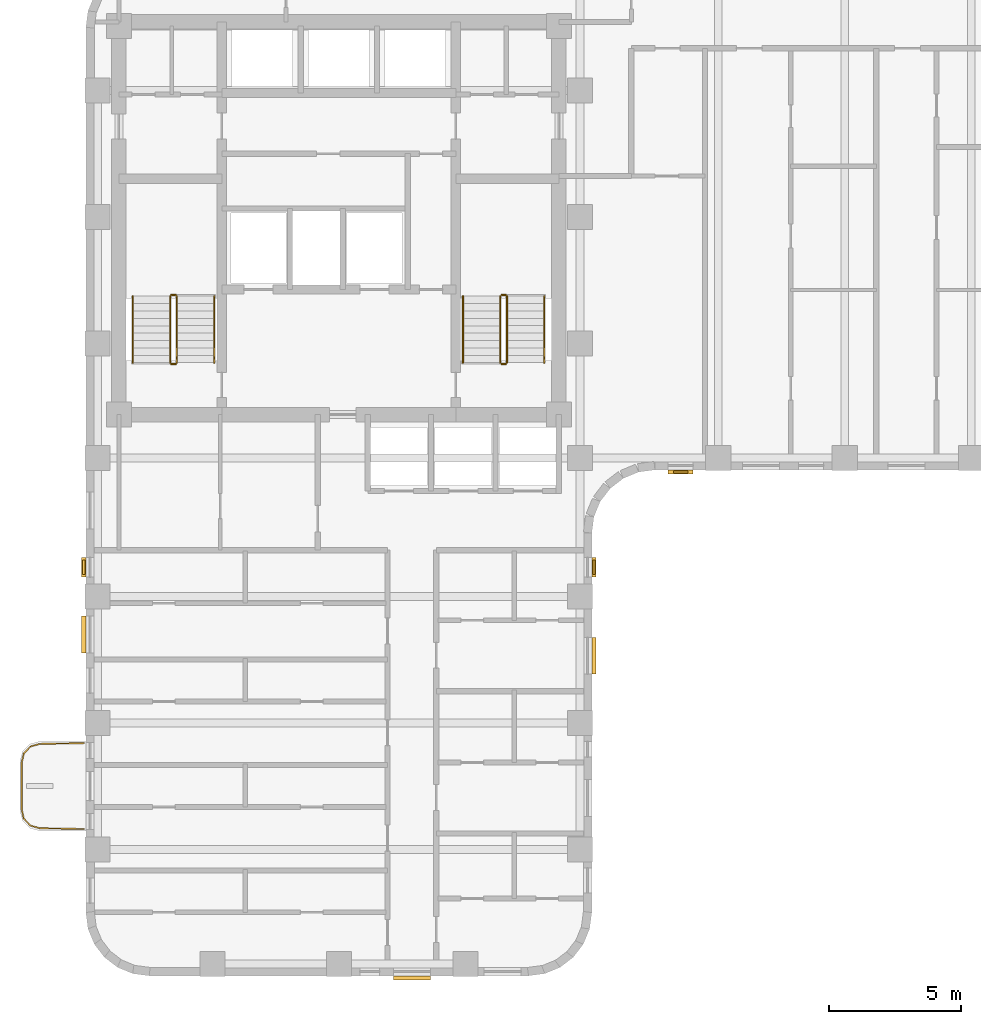
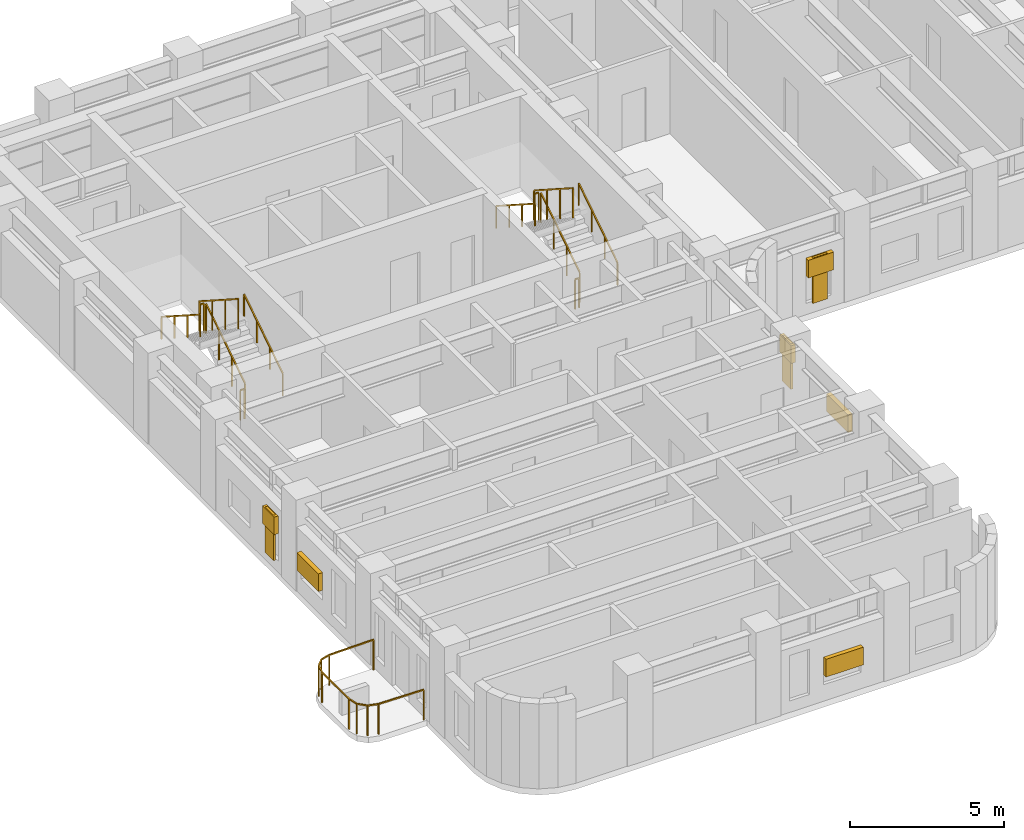
# One storey, part 8 of 10: 13 railings, 9 shading devices.
"""IFC4 building model written with IfcOpenShell, lengths in metres."""

from ifc_helpers import new_model, si_unit, direction, frame, origin, origin_2d, place, context, subcontext, project, spatial, rectangle, extrude, material, type_object, element, save


model = new_model("IFC4")

# Units and contexts
model_context = context("Model", 3, precision=1e-05, world=origin(), true_north=direction((0.0, 1.0)))
body_context = subcontext(model_context, "Body", "Model", "MODEL_VIEW")
ifc_project = project(units=[si_unit("LENGTHUNIT", "METRE"), si_unit("AREAUNIT", "SQUARE_METRE"), si_unit("VOLUMEUNIT", "CUBIC_METRE"), si_unit("PLANEANGLEUNIT", "RADIAN"), si_unit("MASSUNIT", "GRAM", prefix="KILO")], contexts=[model_context])

# Site, building, storey
site_placement = place(None, origin())
site = spatial("IfcSite", under=ifc_project, at=site_placement, CompositionType="ELEMENT")
building_placement = place(site_placement, origin())
building = spatial("IfcBuilding", under=site, at=building_placement, Name="Orvandelia Arch Residences", CompositionType="ELEMENT")
storey_placement = place(building_placement, frame((0.0, 0.0, 110.800048828125)))
storey = spatial("IfcBuildingStorey", under=building, at=storey_placement, Name="L28", CompositionType="ELEMENT", Elevation=110.800048828125)

# Railings
ifc_material_1 = material(Name="Marine-Grade Stainless Steel 316", Category="steel")
railing_type_1 = type_object("IfcRailingType", Name="GRD-BAL-1200", PredefinedType="BALUSTRADE", material=ifc_material_1)
railing_1_placement = place(storey_placement, frame((4.728271484375, 18.430419921875, 0.0)))
element("IfcRailing", 1, at=railing_1_placement, inside=storey, type_object=railing_type_1, Name="Safety Balustrade Guard GRD-L28-BAL-L28-W1-1", PredefinedType="BALUSTRADE", context=body_context, shape_type="SweptSolid", body=[
    extrude(rectangle(XDim=0.048095703125, YDim=0.048095703125, at=origin_2d()), frame((0.0, 0.0, 1.19580078125), z_axis=(-0.999834751713, -0.018178813668, 0.0), x_axis=(0.018178813668, -0.999834751713, 0.0)), (0.0, 0.0, 1.0), 1.6787109375),
    extrude(rectangle(XDim=0.048095703125, YDim=0.048095703125, at=origin_2d()), frame((-1.678466796875, -0.030517578125, 1.19580078125), z_axis=(-0.96348920644, -0.267747173792, 0.0), x_axis=(0.267747173792, -0.96348920644, 0.0)), (0.0, 0.0, 1.0), 0.36572265625),
    extrude(rectangle(XDim=0.048095703125, YDim=0.048095703125, at=origin_2d()), frame((-2.03076171875, -0.12841796875, 1.19580078125), z_axis=(-0.688627404251, -0.725115368831, 0.0), x_axis=(0.725115368831, -0.688627404251, 0.0)), (0.0, 0.0, 1.0), 0.367919921875),
    extrude(rectangle(XDim=0.048095703125, YDim=0.048095703125, at=origin_2d()), frame((-2.2841796875, -0.395263671875, 1.19580078125), z_axis=(-0.220602419982, -0.975363815352, 0.0), x_axis=(0.975363815352, -0.220602419982, 0.0)), (0.0, 0.0, 1.0), 0.373046875),
    extrude(rectangle(XDim=0.048095703125, YDim=0.048095703125, at=origin_2d()), frame((-2.366455078125, -0.759033203125, 1.19580078125), z_axis=(0.0, -1.0, 0.0), x_axis=(1.0, 0.0, 0.0)), (0.0, 0.0, 1.0), 1.74267578125),
    extrude(rectangle(XDim=0.048095703125, YDim=0.048095703125, at=origin_2d()), frame((-2.366455078125, -2.501708984375, 1.19580078125), z_axis=(0.220602419982, -0.975363815352, 0.0), x_axis=(0.975363815352, 0.220602419982, 0.0)), (0.0, 0.0, 1.0), 0.373046875),
    extrude(rectangle(XDim=0.048095703125, YDim=0.048095703125, at=origin_2d()), frame((-2.2841796875, -2.865478515625, 1.19580078125), z_axis=(0.688296224633, -0.725429739642, 0.0), x_axis=(0.725429739642, 0.688296224633, 0.0)), (0.0, 0.0, 1.0), 0.3681640625),
    extrude(rectangle(XDim=0.048095703125, YDim=0.048095703125, at=origin_2d()), frame((-2.03076171875, -3.132568359375, 1.19580078125), z_axis=(0.96348920644, -0.267747173792, 0.0), x_axis=(0.267747173792, 0.96348920644, 0.0)), (0.0, 0.0, 1.0), 0.36572265625),
    extrude(rectangle(XDim=0.048095703125, YDim=0.048095703125, at=origin_2d()), frame((-1.678466796875, -3.23046875, 1.19580078125), z_axis=(0.999837384468, -0.018033430643, 0.0), x_axis=(0.018033430643, 0.999837384468, 0.0)), (0.0, 0.0, 1.0), 1.6787109375),
    extrude(rectangle(XDim=0.0419921875, YDim=0.0419921875, at=origin_2d()), origin(), (0.0, 0.0, 1.0), 1.171875),
    extrude(rectangle(XDim=0.0419921875, YDim=0.0419921875, at=origin_2d()), frame((-1.678466796875, -0.030517578125, 0.0)), (0.0, 0.0, 1.0), 1.171875),
    extrude(rectangle(XDim=0.0419921875, YDim=0.0419921875, at=origin_2d()), frame((-2.03076171875, -0.12841796875, 0.0)), (0.0, 0.0, 1.0), 1.171875),
    extrude(rectangle(XDim=0.0419921875, YDim=0.0419921875, at=origin_2d()), frame((-2.2841796875, -0.395263671875, 0.0)), (0.0, 0.0, 1.0), 1.171875),
    extrude(rectangle(XDim=0.0419921875, YDim=0.0419921875, at=origin_2d()), frame((-2.366455078125, -0.759033203125, 0.0)), (0.0, 0.0, 1.0), 1.171875),
    extrude(rectangle(XDim=0.0419921875, YDim=0.0419921875, at=origin_2d()), frame((-2.366455078125, -2.501708984375, 0.0)), (0.0, 0.0, 1.0), 1.171875),
    extrude(rectangle(XDim=0.0419921875, YDim=0.0419921875, at=origin_2d()), frame((-2.2841796875, -2.865478515625, 0.0)), (0.0, 0.0, 1.0), 1.171875),
    extrude(rectangle(XDim=0.0419921875, YDim=0.0419921875, at=origin_2d()), frame((-2.03076171875, -3.132568359375, 0.0)), (0.0, 0.0, 1.0), 1.171875),
    extrude(rectangle(XDim=0.0419921875, YDim=0.0419921875, at=origin_2d()), frame((-1.678466796875, -3.23046875, 0.0)), (0.0, 0.0, 1.0), 1.171875),
    extrude(rectangle(XDim=0.0419921875, YDim=0.0419921875, at=origin_2d()), frame((0.0, -3.2607421875, 0.0)), (0.0, 0.0, 1.0), 1.171875),
])
ifc_material_2 = material(Name="Brushed Stainless Steel 304", Category="steel")
railing_type_2 = type_object("IfcRailingType", Name="RL-STAIR-GD1120", PredefinedType="GUARDRAIL", material=ifc_material_2)
railing_2_placement = place(storey_placement, frame((8.25, 32.8701171875, 0.179931640625)))
element("IfcRailing", 2, at=railing_2_placement, inside=storey, type_object=railing_type_2, Name="L28 ST-1 stair guard 1", PredefinedType="GUARDRAIL", context=body_context, shape_type="SweptSolid", body=[
    extrude(rectangle(XDim=0.048095703125, YDim=0.048095703125, at=origin_2d()), frame((0.0, 0.0, 1.17578125), z_axis=(0.0, 0.841138753965, 0.540819375188), x_axis=(-1.0, 0.0, 0.0)), (0.0, 0.0, 1.0), 2.99560546875),
    extrude(rectangle(XDim=0.0419921875, YDim=0.0419921875, at=origin_2d()), origin(), (0.0, 0.0, 1.0), 1.15185546875),
    extrude(rectangle(XDim=0.0419921875, YDim=0.0419921875, at=origin_2d()), frame((0.0, 0.83984375, 0.5400390625)), (0.0, 0.0, 1.0), 1.15185546875),
    extrude(rectangle(XDim=0.0419921875, YDim=0.0419921875, at=origin_2d()), frame((0.0, 1.679931640625, 1.080078125)), (0.0, 0.0, 1.0), 1.15185546875),
    extrude(rectangle(XDim=0.0419921875, YDim=0.0419921875, at=origin_2d()), frame((0.0, 2.519775390625, 1.6201171875)), (0.0, 0.0, 1.0), 1.15185546875),
])
railing_3_placement = place(storey_placement, frame((8.199951171875, 35.43994140625, 1.800048828125)))
element("IfcRailing", 3, at=railing_3_placement, inside=storey, type_object=railing_type_2, Name="L28 ST-1 stair guard 2", PredefinedType="GUARDRAIL", context=body_context, shape_type="SweptSolid", body=[
    extrude(rectangle(XDim=0.048095703125, YDim=0.048095703125, at=origin_2d()), frame((0.0, 0.0, 1.17578125), z_axis=(-1.0, 0.0, 0.0), x_axis=(0.0, -1.0, 0.0)), (0.0, 0.0, 1.0), 0.14990234375),
    extrude(rectangle(XDim=0.0419921875, YDim=0.0419921875, at=origin_2d()), origin(), (0.0, 0.0, 1.0), 1.15185546875),
    extrude(rectangle(XDim=0.0419921875, YDim=0.0419921875, at=origin_2d()), frame((-0.14990234375, 0.0, 0.0)), (0.0, 0.0, 1.0), 1.15185546875),
])
railing_4_placement = place(storey_placement, frame((8.0, 35.389892578125, 1.97998046875)))
element("IfcRailing", 4, at=railing_4_placement, inside=storey, type_object=railing_type_2, Name="L28 ST-1 stair guard 3", PredefinedType="GUARDRAIL", context=body_context, shape_type="SweptSolid", body=[
    extrude(rectangle(XDim=0.048095703125, YDim=0.048095703125, at=origin_2d()), frame((0.0, 0.0, 1.17578125), z_axis=(0.0, -0.841175827307, 0.540761710511), x_axis=(1.0, 0.0, 0.0)), (0.0, 0.0, 1.0), 2.99560546875),
    extrude(rectangle(XDim=0.0419921875, YDim=0.0419921875, at=origin_2d()), origin(), (0.0, 0.0, 1.0), 1.15185546875),
    extrude(rectangle(XDim=0.0419921875, YDim=0.0419921875, at=origin_2d()), frame((0.0, -0.83984375, 0.5400390625)), (0.0, 0.0, 1.0), 1.15185546875),
    extrude(rectangle(XDim=0.0419921875, YDim=0.0419921875, at=origin_2d()), frame((0.0, -1.679931640625, 1.079833984375)), (0.0, 0.0, 1.0), 1.15185546875),
    extrude(rectangle(XDim=0.0419921875, YDim=0.0419921875, at=origin_2d()), frame((0.0, -2.519775390625, 1.619873046875)), (0.0, 0.0, 1.0), 1.15185546875),
])
railing_5_placement = place(storey_placement, frame((8.199951171875, 32.820068359375, 0.0)))
element("IfcRailing", 5, at=railing_5_placement, inside=storey, type_object=railing_type_2, Name="L28 ST-1 stair guard 4", PredefinedType="GUARDRAIL", context=body_context, shape_type="SweptSolid", body=[
    extrude(rectangle(XDim=0.048095703125, YDim=0.048095703125, at=origin_2d()), frame((0.0, 0.0, 1.17578125), z_axis=(-1.0, 0.0, 0.0), x_axis=(0.0, -1.0, 0.0)), (0.0, 0.0, 1.0), 0.14990234375),
    extrude(rectangle(XDim=0.0419921875, YDim=0.0419921875, at=origin_2d()), origin(), (0.0, 0.0, 1.0), 1.15185546875),
    extrude(rectangle(XDim=0.0419921875, YDim=0.0419921875, at=origin_2d()), frame((-0.14990234375, 0.0, 0.0)), (0.0, 0.0, 1.0), 1.15185546875),
])
railing_6_placement = place(storey_placement, frame((20.780029296875, 32.8701171875, 0.179931640625)))
element("IfcRailing", 6, at=railing_6_placement, inside=storey, type_object=railing_type_2, Name="L28 ST-2 stair guard 1", PredefinedType="GUARDRAIL", context=body_context, shape_type="SweptSolid", body=[
    extrude(rectangle(XDim=0.048095703125, YDim=0.048095703125, at=origin_2d()), frame((0.0, 0.0, 1.17578125), z_axis=(0.0, 0.841138753965, 0.540819375188), x_axis=(-1.0, 0.0, 0.0)), (0.0, 0.0, 1.0), 2.99560546875),
    extrude(rectangle(XDim=0.0419921875, YDim=0.0419921875, at=origin_2d()), origin(), (0.0, 0.0, 1.0), 1.15185546875),
    extrude(rectangle(XDim=0.0419921875, YDim=0.0419921875, at=origin_2d()), frame((0.0, 0.83984375, 0.5400390625)), (0.0, 0.0, 1.0), 1.15185546875),
    extrude(rectangle(XDim=0.0419921875, YDim=0.0419921875, at=origin_2d()), frame((0.0, 1.679931640625, 1.080078125)), (0.0, 0.0, 1.0), 1.15185546875),
    extrude(rectangle(XDim=0.0419921875, YDim=0.0419921875, at=origin_2d()), frame((0.0, 2.519775390625, 1.6201171875)), (0.0, 0.0, 1.0), 1.15185546875),
])
railing_7_placement = place(storey_placement, frame((20.72998046875, 35.43994140625, 1.800048828125)))
element("IfcRailing", 7, at=railing_7_placement, inside=storey, type_object=railing_type_2, Name="L28 ST-2 stair guard 2", PredefinedType="GUARDRAIL", context=body_context, shape_type="SweptSolid", body=[
    extrude(rectangle(XDim=0.048095703125, YDim=0.048095703125, at=origin_2d()), frame((0.0, 0.0, 1.17578125), z_axis=(-1.0, 0.0, 0.0), x_axis=(0.0, -1.0, 0.0)), (0.0, 0.0, 1.0), 0.14990234375),
    extrude(rectangle(XDim=0.0419921875, YDim=0.0419921875, at=origin_2d()), origin(), (0.0, 0.0, 1.0), 1.15185546875),
    extrude(rectangle(XDim=0.0419921875, YDim=0.0419921875, at=origin_2d()), frame((-0.14990234375, 0.0, 0.0)), (0.0, 0.0, 1.0), 1.15185546875),
])
railing_8_placement = place(storey_placement, frame((20.530029296875, 35.389892578125, 1.97998046875)))
element("IfcRailing", 8, at=railing_8_placement, inside=storey, type_object=railing_type_2, Name="L28 ST-2 stair guard 3", PredefinedType="GUARDRAIL", context=body_context, shape_type="SweptSolid", body=[
    extrude(rectangle(XDim=0.048095703125, YDim=0.048095703125, at=origin_2d()), frame((0.0, 0.0, 1.17578125), z_axis=(0.0, -0.841175827307, 0.540761710511), x_axis=(1.0, 0.0, 0.0)), (0.0, 0.0, 1.0), 2.99560546875),
    extrude(rectangle(XDim=0.0419921875, YDim=0.0419921875, at=origin_2d()), origin(), (0.0, 0.0, 1.0), 1.15185546875),
    extrude(rectangle(XDim=0.0419921875, YDim=0.0419921875, at=origin_2d()), frame((0.0, -0.83984375, 0.5400390625)), (0.0, 0.0, 1.0), 1.15185546875),
    extrude(rectangle(XDim=0.0419921875, YDim=0.0419921875, at=origin_2d()), frame((0.0, -1.679931640625, 1.079833984375)), (0.0, 0.0, 1.0), 1.15185546875),
    extrude(rectangle(XDim=0.0419921875, YDim=0.0419921875, at=origin_2d()), frame((0.0, -2.519775390625, 1.619873046875)), (0.0, 0.0, 1.0), 1.15185546875),
])
railing_9_placement = place(storey_placement, frame((20.72998046875, 32.820068359375, 0.0)))
element("IfcRailing", 9, at=railing_9_placement, inside=storey, type_object=railing_type_2, Name="L28 ST-2 stair guard 4", PredefinedType="GUARDRAIL", context=body_context, shape_type="SweptSolid", body=[
    extrude(rectangle(XDim=0.048095703125, YDim=0.048095703125, at=origin_2d()), frame((0.0, 0.0, 1.17578125), z_axis=(-1.0, 0.0, 0.0), x_axis=(0.0, -1.0, 0.0)), (0.0, 0.0, 1.0), 0.14990234375),
    extrude(rectangle(XDim=0.0419921875, YDim=0.0419921875, at=origin_2d()), origin(), (0.0, 0.0, 1.0), 1.15185546875),
    extrude(rectangle(XDim=0.0419921875, YDim=0.0419921875, at=origin_2d()), frame((-0.14990234375, 0.0, 0.0)), (0.0, 0.0, 1.0), 1.15185546875),
])
railing_type_3 = type_object("IfcRailingType", Name="RL-STAIR-HR920", PredefinedType="HANDRAIL", material=ifc_material_2)
railing_10_placement = place(storey_placement, frame((9.669921875, 32.8701171875, 0.35986328125)))
element("IfcRailing", 10, at=railing_10_placement, inside=storey, type_object=railing_type_3, Name="L28 ST-1 stair handrail 1", PredefinedType="HANDRAIL", context=body_context, shape_type="SweptSolid", body=[
    extrude(rectangle(XDim=0.048095703125, YDim=0.048095703125, at=origin_2d()), frame((0.0, 0.0, 0.8759765625), z_axis=(0.0, 0.841138753965, 0.540819375188), x_axis=(-1.0, 0.0, 0.0)), (0.0, 0.0, 1.0), 2.99560546875),
    extrude(rectangle(XDim=0.0419921875, YDim=0.0419921875, at=origin_2d()), origin(), (0.0, 0.0, 1.0), 0.851806640625),
    extrude(rectangle(XDim=0.0419921875, YDim=0.0419921875, at=origin_2d()), frame((0.0, 0.83984375, 0.5400390625)), (0.0, 0.0, 1.0), 0.851806640625),
    extrude(rectangle(XDim=0.0419921875, YDim=0.0419921875, at=origin_2d()), frame((0.0, 1.679931640625, 1.080078125)), (0.0, 0.0, 1.0), 0.851806640625),
    extrude(rectangle(XDim=0.0419921875, YDim=0.0419921875, at=origin_2d()), frame((0.0, 2.519775390625, 1.6201171875)), (0.0, 0.0, 1.0), 0.851806640625),
])
railing_11_placement = place(storey_placement, frame((6.580078125, 35.389892578125, 2.159912109375)))
element("IfcRailing", 11, at=railing_11_placement, inside=storey, type_object=railing_type_3, Name="L28 ST-1 stair handrail 2", PredefinedType="HANDRAIL", context=body_context, shape_type="SweptSolid", body=[
    extrude(rectangle(XDim=0.048095703125, YDim=0.048095703125, at=origin_2d()), frame((0.0, 0.0, 0.8759765625), z_axis=(0.0, -0.841138753965, 0.540819375188), x_axis=(1.0, 0.0, 0.0)), (0.0, 0.0, 1.0), 2.99560546875),
    extrude(rectangle(XDim=0.0419921875, YDim=0.0419921875, at=origin_2d()), origin(), (0.0, 0.0, 1.0), 0.851806640625),
    extrude(rectangle(XDim=0.0419921875, YDim=0.0419921875, at=origin_2d()), frame((0.0, -0.83984375, 0.5400390625)), (0.0, 0.0, 1.0), 0.851806640625),
    extrude(rectangle(XDim=0.0419921875, YDim=0.0419921875, at=origin_2d()), frame((0.0, -1.679931640625, 1.080078125)), (0.0, 0.0, 1.0), 0.851806640625),
    extrude(rectangle(XDim=0.0419921875, YDim=0.0419921875, at=origin_2d()), frame((0.0, -2.519775390625, 1.6201171875)), (0.0, 0.0, 1.0), 0.851806640625),
])
railing_12_placement = place(storey_placement, frame((22.199951171875, 32.8701171875, 0.35986328125)))
element("IfcRailing", 12, at=railing_12_placement, inside=storey, type_object=railing_type_3, Name="L28 ST-2 stair handrail 1", PredefinedType="HANDRAIL", context=body_context, shape_type="SweptSolid", body=[
    extrude(rectangle(XDim=0.048095703125, YDim=0.048095703125, at=origin_2d()), frame((0.0, 0.0, 0.8759765625), z_axis=(0.0, 0.841138753965, 0.540819375188), x_axis=(-1.0, 0.0, 0.0)), (0.0, 0.0, 1.0), 2.99560546875),
    extrude(rectangle(XDim=0.0419921875, YDim=0.0419921875, at=origin_2d()), origin(), (0.0, 0.0, 1.0), 0.851806640625),
    extrude(rectangle(XDim=0.0419921875, YDim=0.0419921875, at=origin_2d()), frame((0.0, 0.83984375, 0.5400390625)), (0.0, 0.0, 1.0), 0.851806640625),
    extrude(rectangle(XDim=0.0419921875, YDim=0.0419921875, at=origin_2d()), frame((0.0, 1.679931640625, 1.080078125)), (0.0, 0.0, 1.0), 0.851806640625),
    extrude(rectangle(XDim=0.0419921875, YDim=0.0419921875, at=origin_2d()), frame((0.0, 2.519775390625, 1.6201171875)), (0.0, 0.0, 1.0), 0.851806640625),
])
railing_13_placement = place(storey_placement, frame((19.110107421875, 35.389892578125, 2.159912109375)))
element("IfcRailing", 13, at=railing_13_placement, inside=storey, type_object=railing_type_3, Name="L28 ST-2 stair handrail 2", PredefinedType="HANDRAIL", context=body_context, shape_type="SweptSolid", body=[
    extrude(rectangle(XDim=0.048095703125, YDim=0.048095703125, at=origin_2d()), frame((0.0, 0.0, 0.8759765625), z_axis=(0.0, -0.841138753965, 0.540819375188), x_axis=(1.0, 0.0, 0.0)), (0.0, 0.0, 1.0), 2.99560546875),
    extrude(rectangle(XDim=0.0419921875, YDim=0.0419921875, at=origin_2d()), origin(), (0.0, 0.0, 1.0), 0.851806640625),
    extrude(rectangle(XDim=0.0419921875, YDim=0.0419921875, at=origin_2d()), frame((0.0, -0.83984375, 0.5400390625)), (0.0, 0.0, 1.0), 0.851806640625),
    extrude(rectangle(XDim=0.0419921875, YDim=0.0419921875, at=origin_2d()), frame((0.0, -1.679931640625, 1.080078125)), (0.0, 0.0, 1.0), 0.851806640625),
    extrude(rectangle(XDim=0.0419921875, YDim=0.0419921875, at=origin_2d()), frame((0.0, -2.519775390625, 1.6201171875)), (0.0, 0.0, 1.0), 0.851806640625),
])

# Shading devices
ifc_material_3 = material(Name="Anodised Champagne-Bronze Extruded Aluminium", Category="aluminium")
shading_device_type_1 = type_object("IfcShadingDeviceType", Name="SHD-JALOUSIE-SCREEN", PredefinedType="JALOUSIE", material=ifc_material_3)
shading_device_1_placement = place(storey_placement, frame((27.3701171875, 28.719970703125, 1.5498046875), z_axis=(0.0, 0.0, 1.0), x_axis=(-1.0, 0.0, 0.0)))
element("IfcShadingDevice", 14, at=shading_device_1_placement, inside=storey, type_object=shading_device_type_1, Name="Bronze Jalousie Sun-Shade L28-003", PredefinedType="JALOUSIE", context=body_context, shape_type="SweptSolid", body=[
    extrude(rectangle(XDim=0.949951171875, YDim=0.159912109375, at=origin_2d()), origin(), (0.0, 0.0, 1.0), 0.699951171875),
])
shading_device_2_placement = place(storey_placement, frame((24.080078125, 21.74609375, 1.0498046875), z_axis=(0.0, 0.0, 1.0), x_axis=(0.0, -1.0, 0.0)))
element("IfcShadingDevice", 15, at=shading_device_2_placement, inside=storey, type_object=shading_device_type_1, Name="Bronze Jalousie Sun-Shade L28-005", PredefinedType="JALOUSIE", context=body_context, shape_type="SweptSolid", body=[
    extrude(rectangle(XDim=1.39990234375, YDim=0.159912109375, at=origin_2d()), origin(), (0.0, 0.0, 1.0), 0.699951171875),
])
shading_device_3_placement = place(storey_placement, frame((24.080078125, 25.107421875, 1.5498046875), z_axis=(0.0, 0.0, 1.0), x_axis=(0.0, -1.0, 0.0)))
element("IfcShadingDevice", 16, at=shading_device_3_placement, inside=storey, type_object=shading_device_type_1, Name="Bronze Jalousie Sun-Shade L28-006", PredefinedType="JALOUSIE", context=body_context, shape_type="SweptSolid", body=[
    extrude(rectangle(XDim=0.75, YDim=0.159912109375, at=origin_2d()), origin(), (0.0, 0.0, 1.0), 0.699951171875),
])
for number, where, z_axis, x_axis, name in (
    (17, (17.175048828125, 9.52001953125, 1.0498046875), (0.0, 0.0, 1.0), (-1.0, 0.0, 0.0), "Bronze Jalousie Sun-Shade L28-007"),
    (18, (4.719970703125, 22.552490234375, 1.0498046875), (0.0, 0.0, 1.0), (0.0, 1.0, 0.0), "Bronze Jalousie Sun-Shade L28-008"),
):
    element("IfcShadingDevice", number, at=place(storey_placement, frame(where, z_axis=z_axis, x_axis=x_axis)), inside=storey, type_object=shading_device_type_1, Name=name, PredefinedType="JALOUSIE", context=body_context, shape_type="SweptSolid", body=[
        extrude(rectangle(XDim=1.39990234375, YDim=0.159912109375, at=origin_2d()), origin(), (0.0, 0.0, 1.0), 0.699951171875),
    ])
shading_device_4_placement = place(storey_placement, frame((4.719970703125, 25.107421875, 1.5498046875), z_axis=(0.0, 0.0, 1.0), x_axis=(0.0, 1.0, 0.0)))
element("IfcShadingDevice", 19, at=shading_device_4_placement, inside=storey, type_object=shading_device_type_1, Name="Bronze Jalousie Sun-Shade L28-009", PredefinedType="JALOUSIE", context=body_context, shape_type="SweptSolid", body=[
    extrude(rectangle(XDim=0.75, YDim=0.159912109375, at=origin_2d()), origin(), (0.0, 0.0, 1.0), 0.699951171875),
])
ifc_material_4 = material(Name="Marine-Grade Perforated Aluminium Storm Shutter", Category="aluminium")
shading_device_type_2 = type_object("IfcShadingDeviceType", Name="SHD-STORM-SHUTTER", PredefinedType="SHUTTER", material=ifc_material_4)
for number, where, z_axis, x_axis, name in (
    (20, (27.3701171875, 28.719970703125, 0.44970703125), (0.0, 0.0, 1.0), (-1.0, 0.0, 0.0), "Operable Typhoon Storm Shutter L28-003"),
    (21, (24.080078125, 25.107421875, 0.44970703125), (0.0, 0.0, 1.0), (0.0, -1.0, 0.0), "Operable Typhoon Storm Shutter L28-006"),
    (22, (4.719970703125, 25.107421875, 0.44970703125), (0.0, 0.0, 1.0), (0.0, 1.0, 0.0), "Operable Typhoon Storm Shutter L28-009"),
):
    element("IfcShadingDevice", number, at=place(storey_placement, frame(where, z_axis=z_axis, x_axis=x_axis)), inside=storey, type_object=shading_device_type_2, Name=name, PredefinedType="SHUTTER", context=body_context, shape_type="SweptSolid", body=[
        extrude(rectangle(XDim=0.550048828125, YDim=0.080078125, at=origin_2d()), origin(), (0.0, 0.0, 1.0), 1.800048828125),
    ])

save(model, "model.ifc")
